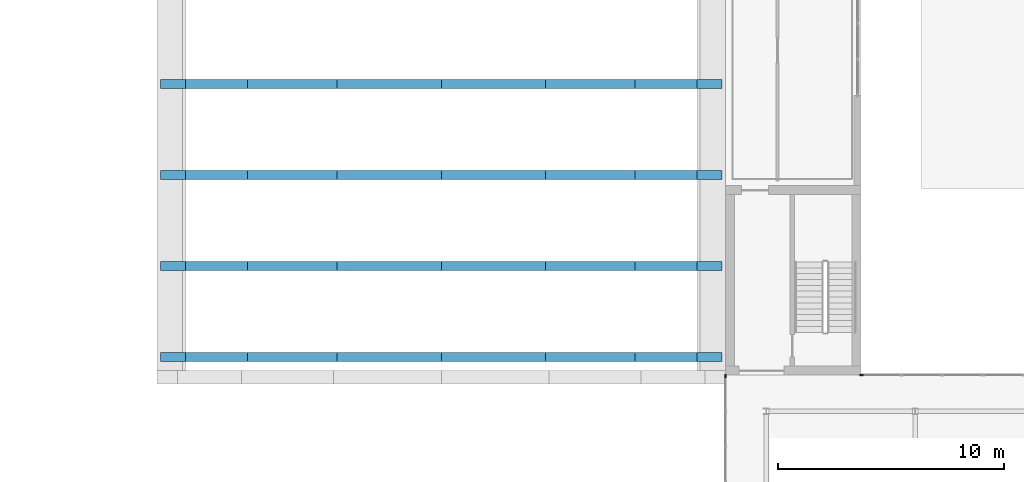
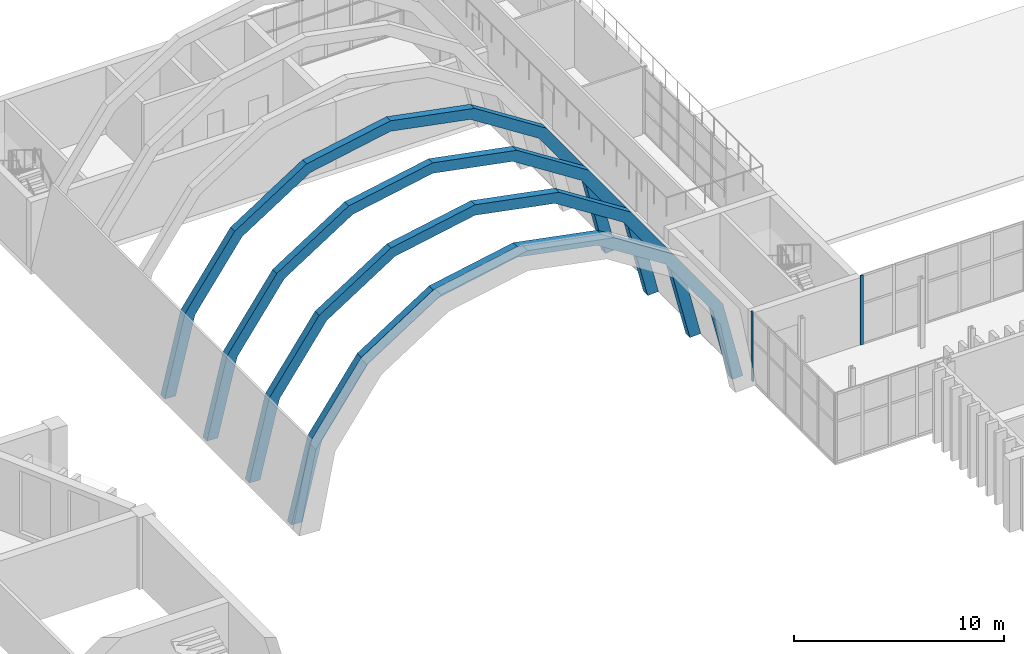
# One storey, part 41 of 96: 6 members, 2 elements without a shape of their own.
"""IFC4 building model written with IfcOpenShell, lengths in metres."""

from ifc_helpers import new_model, si_unit, direction, frame, origin, origin_2d, place, context, subcontext, project, spatial, polyline, rectangle, outline, extrude, material, layer, layer_set, material_profile, profile_set, type_object, element, aggregate, save


model = new_model("IFC4")

# Units and contexts
model_context = context("Model", 3, precision=1e-05, world=origin(), true_north=direction((0.0, 1.0)))
body_context = subcontext(model_context, "Body", "Model", "MODEL_VIEW")
ifc_project = project(units=[si_unit("LENGTHUNIT", "METRE"), si_unit("AREAUNIT", "SQUARE_METRE"), si_unit("VOLUMEUNIT", "CUBIC_METRE"), si_unit("PLANEANGLEUNIT", "RADIAN"), si_unit("MASSUNIT", "GRAM", prefix="KILO")], contexts=[model_context])

# Site, building, storey
site_placement = place(None, origin())
site = spatial("IfcSite", under=ifc_project, at=site_placement, CompositionType="ELEMENT")
building_placement = place(site_placement, origin())
building = spatial("IfcBuilding", under=site, at=building_placement, Name="Cresset Court Congress Hotel", CompositionType="ELEMENT")
storey_placement = place(building_placement, frame((0.0, 0.0, 6.0)))
storey = spatial("IfcBuildingStorey", under=building, at=storey_placement, Name="L01", CompositionType="ELEMENT", Elevation=6.0)

# Curtain wall, member
ifc_material_1 = material(Name="Aluminium and glass", Category="aluminium")
ifc_layer = layer(ifc_material_1, 0.199951171875)
ifc_layer_set = layer_set([ifc_layer], Name="Link curtain wall")
curtain_wall_type = type_object("IfcCurtainWallType", Name="Link curtain wall", PredefinedType="NOTDEFINED", material=ifc_layer_set)
curtain_wall_1_placement = place(storey_placement, origin())
curtain_wall_1 = element("IfcCurtainWall", 1, at=curtain_wall_1_placement, inside=storey, type_object=curtain_wall_type, Name="Link curtain wall W", PredefinedType="NOTDEFINED")
ifc_material_2 = material(Name="Aluminium", Category="aluminium")
ifc_material_profile_1 = material_profile(ifc_material_2, rectangle(XDim=0.06005859375, YDim=0.159912109375, at=origin_2d()), Name="Mullion 60x160")
ifc_profile_set_1 = profile_set([ifc_material_profile_1], Name="Aluminium")
member_type_1 = type_object("IfcMemberType", Name="Link mullion 60x160", PredefinedType="MULLION", material=ifc_profile_set_1)
member_1_placement = place(storey_placement, frame((151.199951171875, 75.570068359375, 0.0), z_axis=(0.0, 0.0, 1.0), x_axis=(-1.0, 0.0, 0.0)))
member_1 = element("IfcMember", 2, at=member_1_placement, type_object=member_type_1, Name="S-X1 mullion 6", PredefinedType="MULLION", context=body_context, shape_type="SweptSolid", body=[
    extrude(rectangle(XDim=0.06005859375, YDim=0.159912109375, at=origin_2d()), origin(), (0.0, 0.0, 1.0), 4.050048828125),
])
aggregate(curtain_wall_1, [member_1])

curtain_wall_2_placement = place(storey_placement, origin())
curtain_wall_2 = element("IfcCurtainWall", 3, at=curtain_wall_2_placement, inside=storey, type_object=curtain_wall_type, Name="Link curtain wall N", PredefinedType="NOTDEFINED")
member_2_placement = place(storey_placement, frame((157.22998046875, 75.60009765625, 0.0), z_axis=(0.0, 0.0, 1.0), x_axis=(0.0, 1.0, 0.0)))
member_2 = element("IfcMember", 4, at=member_2_placement, type_object=member_type_1, Name="S-X1 mullion 1", PredefinedType="MULLION", context=body_context, shape_type="SweptSolid", body=[
    extrude(rectangle(XDim=0.06005859375, YDim=0.159912109375, at=origin_2d()), origin(), (0.0, 0.0, 1.0), 4.050048828125),
])
aggregate(curtain_wall_2, [member_2])

# Members
ifc_material_3 = material(Name="Concrete C40", Category="concrete")
ifc_material_profile_2 = material_profile(ifc_material_3, rectangle(XDim=0.39990234375, YDim=0.60009765625, at=origin_2d()), Name="RC400x600")
ifc_profile_set_2 = profile_set([ifc_material_profile_2], Name="Concrete C40")
member_type_2 = type_object("IfcMemberType", Name="Vault rib 400x600", PredefinedType="USERDEFINED", material=ifc_profile_set_2)
for number, where, name in (
    (5, (0.0, 76.39990234375, -6.0), "Vault rib 1"),
    (6, (0.0, 80.433349609375, -6.0), "Vault rib 2"),
    (7, (0.0, 84.466796875, -6.0), "Vault rib 3"),
    (8, (0.0, 88.5, -6.0), "Vault rib 4"),
):
    element("IfcMember", number, at=place(storey_placement, frame(where)), inside=storey, type_object=member_type_2, Name=name, ObjectType="VAULT RIB", PredefinedType="USERDEFINED", context=body_context, shape_type="SweptSolid", body=[
        extrude(outline(polyline([(126.158203125, 5.9921875), (127.2685546875, 10.572021484375), (130.00537109375, 14.409423828125), (133.9716796875, 16.955810546875), (138.60009765625, 17.84716796875), (143.228515625, 16.955810546875), (147.194580078125, 14.409423828125), (149.931396484375, 10.572021484375), (151.0419921875, 5.9921875), (150.442626953125, 5.962890625), (149.3759765625, 10.317626953125), (146.773193359375, 13.966796875), (143.00146484375, 16.388671875), (138.60009765625, 17.236083984375), (134.198486328125, 16.388671875), (130.4267578125, 13.966796875), (127.82421875, 10.317626953125), (126.75732421875, 5.962890625), (126.158203125, 5.9921875)])), frame((0.0, 0.199951171875, 0.0), z_axis=(0.0, -1.0, 0.0), x_axis=(1.0, 0.0, 0.0)), (0.0, 0.0, 1.0), 0.39990234375),
    ])

save(model, "model.ifc")
